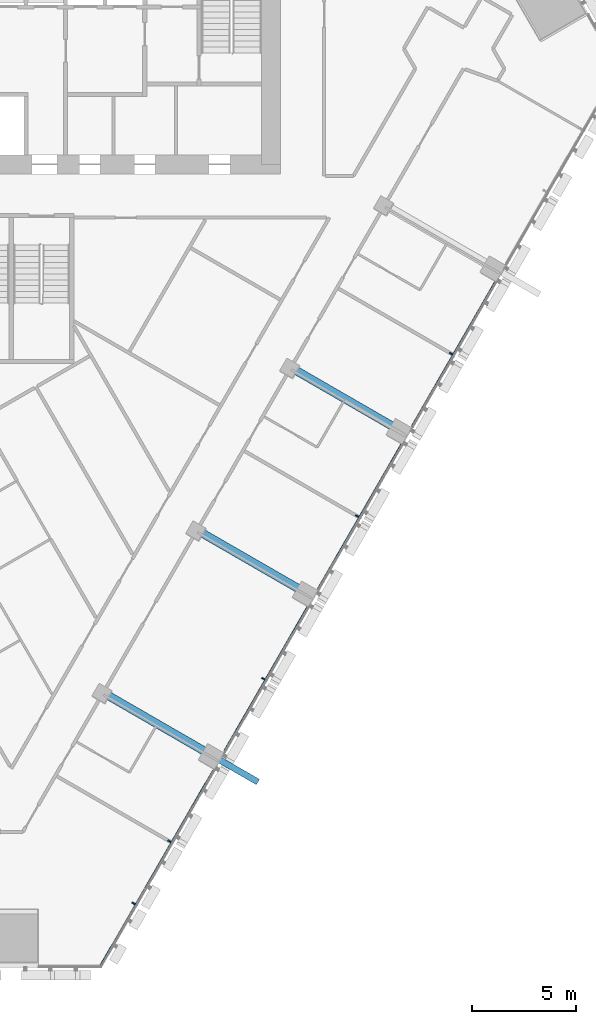
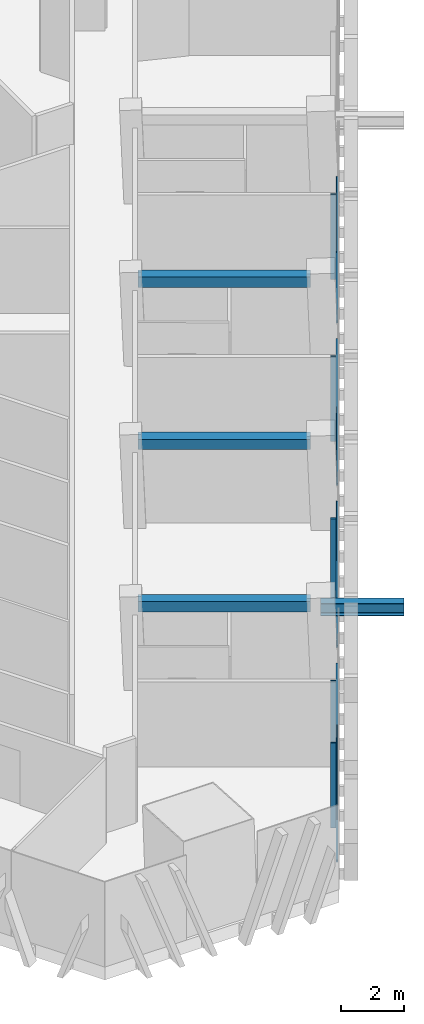
# One storey, part 4 of 15: 10 members, 3 beams, 1 element without a shape of its own.
"""IFC4 building model written with IfcOpenShell, lengths in metres."""

from ifc_helpers import new_model, si_unit, direction, frame, origin, origin_2d, place, context, subcontext, project, spatial, rectangle, i_section, extrude, material, layer, layer_set, material_profile, profile_set, type_object, element, aggregate, save


model = new_model("IFC4")

# Units and contexts
model_context = context("Model", 3, precision=1e-05, world=origin(), true_north=direction((0.0, 1.0)))
body_context = subcontext(model_context, "Body", "Model", "MODEL_VIEW")
ifc_project = project(units=[si_unit("LENGTHUNIT", "METRE"), si_unit("AREAUNIT", "SQUARE_METRE"), si_unit("VOLUMEUNIT", "CUBIC_METRE"), si_unit("PLANEANGLEUNIT", "RADIAN"), si_unit("MASSUNIT", "GRAM", prefix="KILO")], contexts=[model_context])

# Site, building, storey
site_placement = place(None, origin())
site = spatial("IfcSite", under=ifc_project, at=site_placement, CompositionType="ELEMENT")
building_placement = place(site_placement, origin())
building = spatial("IfcBuilding", under=site, at=building_placement, Name="Altiplano Prism Tower", CompositionType="ELEMENT")
storey_placement = place(building_placement, frame((0.0, 0.0, 91.800048828125)))
storey = spatial("IfcBuildingStorey", under=building, at=storey_placement, Name="L23", CompositionType="ELEMENT", Elevation=91.800048828125)

# Member
ifc_material_1 = material(Name="Steel S355", Category="steel")
ifc_material_profile_1 = material_profile(ifc_material_1, i_section(OverallWidth=0.300048828125, OverallDepth=0.5, WebThickness=0.014404296875, FlangeThickness=0.028076171875, FilletRadius=0.027099609375, at=origin_2d()), Name="Brace bracket HEB 500")
ifc_profile_set_1 = profile_set([ifc_material_profile_1], Name="Steel S355")
member_type_1 = type_object("IfcMemberType", Name="Brace bracket HEB 500", PredefinedType="STRUT", material=ifc_profile_set_1)
member_1_placement = place(storey_placement, frame((94.527099609375, 64.666015625, 2.949951171875), z_axis=(0.866029095148, -0.499993606316, 0.0), x_axis=(0.499993606316, 0.866029095148, 0.0)))
element("IfcMember", 1, at=member_1_placement, inside=storey, type_object=member_type_1, Name="Brace bracket 2.95.4", PredefinedType="STRUT", context=body_context, shape_type="SweptSolid", body=[
    extrude(i_section(OverallWidth=0.300048828125, OverallDepth=0.5, WebThickness=0.014404296875, FlangeThickness=0.028076171875, FilletRadius=0.027099609375, at=origin_2d()), origin(), (0.0, 0.0, 1.0), 2.64990234375),
])

# Curtain wall, members
ifc_material_2 = material(Name="Aluminium and glass", Category="aluminium")
ifc_layer = layer(ifc_material_2, 0.280029296875)
ifc_layer_set = layer_set([ifc_layer], Name="Aluminium and glass")
curtain_wall_type = type_object("IfcCurtainWallType", Name="CW1 typical co-living unitised curtain wall", PredefinedType="NOTDEFINED", material=ifc_layer_set)
curtain_wall_placement = place(storey_placement, origin())
curtain_wall = element("IfcCurtainWall", 2, at=curtain_wall_placement, inside=storey, type_object=curtain_wall_type, Name="CW1 curtain wall south-east face L23", PredefinedType="NOTDEFINED")
ifc_material_3 = material(Name="Aluminium", Category="aluminium")
ifc_material_profile_2 = material_profile(ifc_material_3, rectangle(XDim=0.179931640625, YDim=0.06494140625, at=origin_2d()), Name="CW1 mullion 65 x 180")
ifc_profile_set_2 = profile_set([ifc_material_profile_2], Name="Aluminium")
member_type_2 = type_object("IfcMemberType", Name="CW1 mullion 65 x 180", PredefinedType="MULLION", material=ifc_profile_set_2)
member_2_placement = place(storey_placement, frame((90.862548828125, 57.521728515625, 0.0), z_axis=(0.0, 0.0, 1.0), x_axis=(-0.866025397248, 0.500000011321, 0.0)))
member_2 = element("IfcMember", 3, at=member_2_placement, type_object=member_type_2, Name="CW1 mullion", PredefinedType="MULLION", context=body_context, shape_type="SweptSolid", body=[
    extrude(rectangle(XDim=0.179931640625, YDim=0.06494140625, at=origin_2d()), origin(), (0.0, 0.0, 1.0), 3.300048828125),
])
member_3_placement = place(storey_placement, frame((92.582275390625, 60.50048828125, 0.0), z_axis=(0.0, 0.0, 1.0), x_axis=(-0.866025397248, 0.500000011321, 0.0)))
member_3 = element("IfcMember", 4, at=member_3_placement, type_object=member_type_2, Name="CW1 mullion", PredefinedType="MULLION", context=body_context, shape_type="SweptSolid", body=[
    extrude(rectangle(XDim=0.179931640625, YDim=0.06494140625, at=origin_2d()), origin(), (0.0, 0.0, 1.0), 3.300048828125),
])
member_4_placement = place(storey_placement, frame((97.082275390625, 68.294677734375, 0.0), z_axis=(0.0, 0.0, 1.0), x_axis=(-0.866025397248, 0.500000011321, 0.0)))
member_4 = element("IfcMember", 5, at=member_4_placement, type_object=member_type_2, Name="CW1 mullion", PredefinedType="MULLION", context=body_context, shape_type="SweptSolid", body=[
    extrude(rectangle(XDim=0.179931640625, YDim=0.06494140625, at=origin_2d()), origin(), (0.0, 0.0, 1.0), 3.300048828125),
])
member_5_placement = place(storey_placement, frame((101.582275390625, 76.0888671875, 0.0), z_axis=(0.0, 0.0, 1.0), x_axis=(-0.866025397248, 0.500000011321, 0.0)))
member_5 = element("IfcMember", 6, at=member_5_placement, type_object=member_type_2, Name="CW1 mullion", PredefinedType="MULLION", context=body_context, shape_type="SweptSolid", body=[
    extrude(rectangle(XDim=0.179931640625, YDim=0.06494140625, at=origin_2d()), origin(), (0.0, 0.0, 1.0), 3.300048828125),
])
member_6_placement = place(storey_placement, frame((106.082275390625, 83.883056640625, 0.0), z_axis=(0.0, 0.0, 1.0), x_axis=(-0.866025397248, 0.500000011321, 0.0)))
member_6 = element("IfcMember", 7, at=member_6_placement, type_object=member_type_2, Name="CW1 mullion", PredefinedType="MULLION", context=body_context, shape_type="SweptSolid", body=[
    extrude(rectangle(XDim=0.179931640625, YDim=0.06494140625, at=origin_2d()), origin(), (0.0, 0.0, 1.0), 3.300048828125),
])
ifc_material_profile_3 = material_profile(ifc_material_3, rectangle(XDim=0.06005859375, YDim=0.080078125, at=origin_2d()), Name="CW1 transom 80 x 60")
ifc_profile_set_3 = profile_set([ifc_material_profile_3], Name="Aluminium")
member_type_3 = type_object("IfcMemberType", Name="CW1 transom 80 x 60", PredefinedType="USERDEFINED", material=ifc_profile_set_3)
member_7_placement = place(storey_placement, frame((89.24658203125, 54.483154296875, 1.099853515625), z_axis=(0.500000281738, 0.866025241123, 0.0), x_axis=(-0.866025241123, 0.500000281738, 0.0)))
member_7 = element("IfcMember", 8, at=member_7_placement, type_object=member_type_3, Name="CW1 transom", ObjectType="TRANSOM", PredefinedType="USERDEFINED", context=body_context, shape_type="SweptSolid", body=[
    extrude(rectangle(XDim=0.06005859375, YDim=0.080078125, at=origin_2d()), origin(), (0.0, 0.0, 1.0), 10.92822265625),
])
member_8_placement = place(storey_placement, frame((95.201171875, 64.796630859375, 1.099853515625), z_axis=(0.499993018469, 0.866029434536, 0.0), x_axis=(-0.866029434536, 0.499993018469, 0.0)))
member_8 = element("IfcMember", 9, at=member_8_placement, type_object=member_type_3, Name="CW1 transom", ObjectType="TRANSOM", PredefinedType="USERDEFINED", context=body_context, shape_type="SweptSolid", body=[
    extrude(rectangle(XDim=0.06005859375, YDim=0.080078125, at=origin_2d()), origin(), (0.0, 0.0, 1.0), 8.01904296875),
])
member_9_placement = place(storey_placement, frame((99.701171875, 72.5908203125, 1.099853515625), z_axis=(0.499993018469, 0.866029434536, 0.0), x_axis=(-0.866029434536, 0.499993018469, 0.0)))
member_9 = element("IfcMember", 10, at=member_9_placement, type_object=member_type_3, Name="CW1 transom", ObjectType="TRANSOM", PredefinedType="USERDEFINED", context=body_context, shape_type="SweptSolid", body=[
    extrude(rectangle(XDim=0.06005859375, YDim=0.080078125, at=origin_2d()), origin(), (0.0, 0.0, 1.0), 8.01904296875),
])
member_10_placement = place(storey_placement, frame((104.201171875, 80.385009765625, 1.099853515625), z_axis=(0.499993018469, 0.866029434536, 0.0), x_axis=(-0.866029434536, 0.499993018469, 0.0)))
member_10 = element("IfcMember", 11, at=member_10_placement, type_object=member_type_3, Name="CW1 transom", ObjectType="TRANSOM", PredefinedType="USERDEFINED", context=body_context, shape_type="SweptSolid", body=[
    extrude(rectangle(XDim=0.06005859375, YDim=0.080078125, at=origin_2d()), origin(), (0.0, 0.0, 1.0), 8.01904296875),
])
aggregate(curtain_wall, [member_2, member_3, member_7, member_4, member_8, member_5, member_9, member_6, member_10])

# Beams
ifc_material_4 = material(Name="Concrete C60/75", Category="concrete")
ifc_material_profile_4 = material_profile(ifc_material_4, rectangle(XDim=0.39990234375, YDim=0.39990234375, at=origin_2d()), Name="Tie beam 400x400")
ifc_profile_set_4 = profile_set([ifc_material_profile_4], Name="Concrete C60/75")
beam_type = type_object("IfcBeamType", Name="Tie beam 400x400", PredefinedType="BEAM", material=ifc_profile_set_4)
beam_placement = place(storey_placement, frame((89.48681640625, 67.575927734375, 3.099853515625), z_axis=(0.866031549307, -0.499989355492, 0.0), x_axis=(0.499989355492, 0.866031549307, 0.0)))
element("IfcBeam", 12, at=beam_placement, inside=storey, type_object=beam_type, Name="Tie beam I21 L24", PredefinedType="BEAM", context=body_context, shape_type="SweptSolid", body=[
    extrude(rectangle(XDim=0.39990234375, YDim=0.39990234375, at=origin_2d()), origin(), (0.0, 0.0, 1.0), 5.48974609375),
])
for number, where, z_axis, x_axis, name in (
    (13, (93.98681640625, 75.370361328125, 3.099853515625), (0.866012292785, -0.50002270823, 0.0), (0.50002270823, 0.866012292785, 0.0), "Tie beam I22 L24"),
    (14, (98.48681640625, 83.16455078125, 3.099853515625), (0.866012292785, -0.50002270823, 0.0), (0.50002270823, 0.866012292785, 0.0), "Tie beam I23 L24"),
):
    element("IfcBeam", number, at=place(storey_placement, frame(where, z_axis=z_axis, x_axis=x_axis)), inside=storey, type_object=beam_type, Name=name, PredefinedType="BEAM", context=body_context, shape_type="SweptSolid", body=[
        extrude(rectangle(XDim=0.39990234375, YDim=0.39990234375, at=origin_2d()), origin(), (0.0, 0.0, 1.0), 5.489990234375),
    ])

save(model, "model.ifc")
